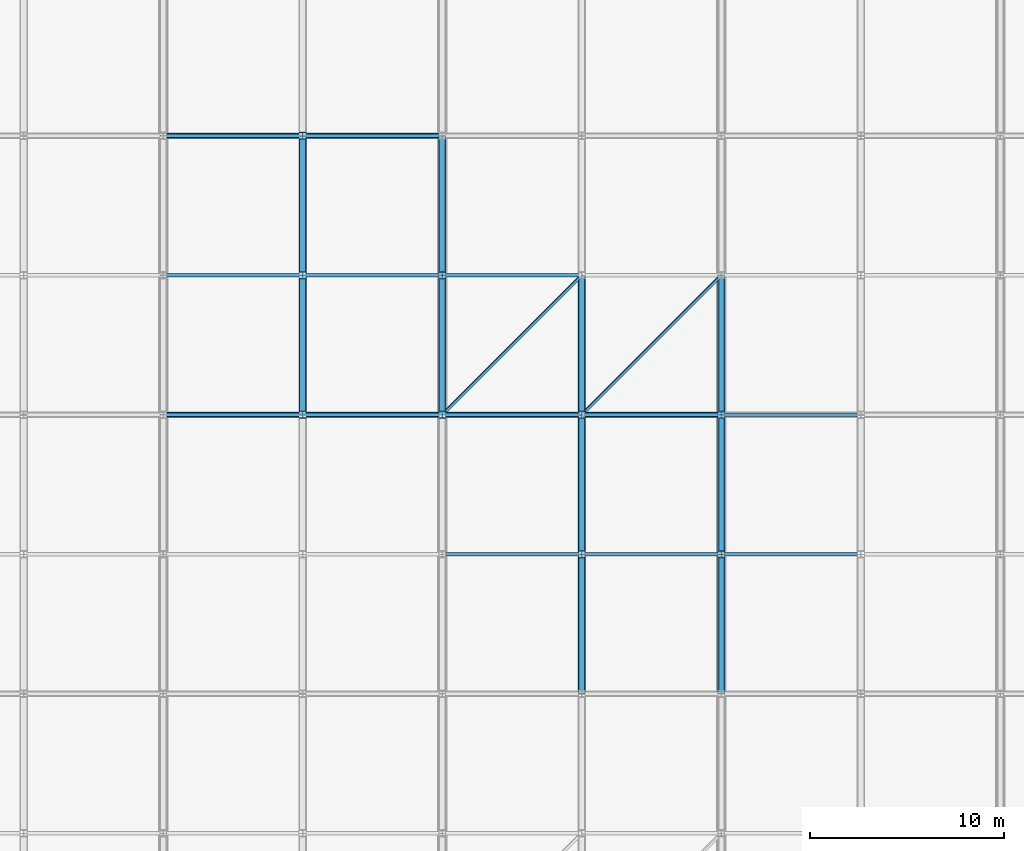
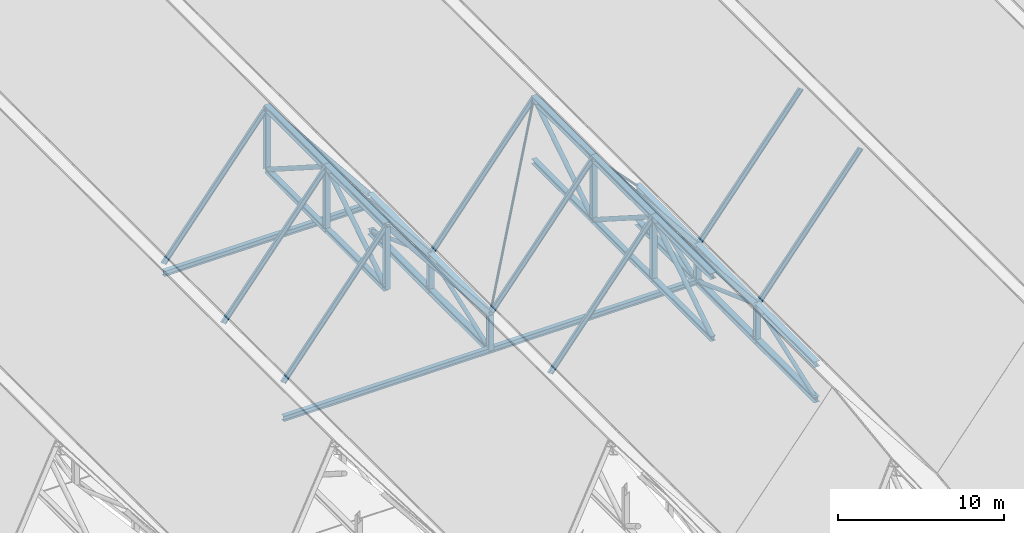
# One storey, part 9 of 60: 54 members, 3 beams.
"""IFC4 building model written with IfcOpenShell, lengths in metres."""

from ifc_helpers import new_model, si_unit, direction, frame, origin, origin_2d, place, context, subcontext, project, spatial, hollow_circle, i_section, extrude, material, material_profile, profile_set, type_object, element, save


model = new_model("IFC4")

# Units and contexts
model_context = context("Model", 3, precision=1e-05, world=origin(), true_north=direction((0.0, 1.0)))
body_context = subcontext(model_context, "Body", "Model", "MODEL_VIEW")
ifc_project = project(units=[si_unit("LENGTHUNIT", "METRE"), si_unit("AREAUNIT", "SQUARE_METRE"), si_unit("VOLUMEUNIT", "CUBIC_METRE"), si_unit("PLANEANGLEUNIT", "RADIAN"), si_unit("MASSUNIT", "GRAM", prefix="KILO")], contexts=[model_context])

# Site, building, storey
site_placement = place(None, origin())
site = spatial("IfcSite", under=ifc_project, at=site_placement, CompositionType="ELEMENT")
building_placement = place(site_placement, origin())
building = spatial("IfcBuilding", under=site, at=building_placement, Name="Vesperath Aquatics Centre", CompositionType="ELEMENT")
storey_placement = place(building_placement, frame((0.0, 0.0, 27.60009765625)))
storey = spatial("IfcBuildingStorey", under=building, at=storey_placement, Name="RF", CompositionType="ELEMENT", Elevation=27.60009765625)

# Beams
ifc_material_1 = material(Name="Steel Q355C", Category="steel")
ifc_material_profile_1 = material_profile(ifc_material_1, i_section(OverallWidth=0.300048828125, OverallDepth=0.389892578125, WebThickness=0.010009765625, FlangeThickness=0.01611328125, FilletRadius=0.02197265625, at=origin_2d()), Name="HM 390x300x10x16")
ifc_profile_set_1 = profile_set([ifc_material_profile_1], Name="Steel Q355C")
beam_type_1 = type_object("IfcBeamType", Name="BM-RB02", PredefinedType="BEAM", material=ifc_profile_set_1)
beam_1_placement = place(storey_placement, frame((28.800048828125, 43.199951171875, -12.400146484375), z_axis=(1.0, 0.0, 0.0), x_axis=(0.0, 1.0, 0.0)))
element("IfcBeam", 1, at=beam_1_placement, inside=storey, type_object=beam_type_1, Name="Natatorium Roof Deck Support Beam B11 G3-43.2", PredefinedType="BEAM", context=body_context, shape_type="SweptSolid", body=[
    extrude(i_section(OverallWidth=0.300048828125, OverallDepth=0.389892578125, WebThickness=0.010009765625, FlangeThickness=0.01611328125, FilletRadius=0.02197265625, at=origin_2d()), origin(), (0.0, 0.0, 1.0), 14.39990234375),
])
beam_2_placement = place(storey_placement, frame((43.199951171875, 43.199951171875, -12.400146484375), z_axis=(1.0, 0.0, 0.0), x_axis=(0.0, 1.0, 0.0)))
element("IfcBeam", 2, at=beam_2_placement, inside=storey, type_object=beam_type_1, Name="Natatorium Roof Deck Support Beam B11 G4-43.2", PredefinedType="BEAM", context=body_context, shape_type="SweptSolid", body=[
    extrude(i_section(OverallWidth=0.300048828125, OverallDepth=0.389892578125, WebThickness=0.010009765625, FlangeThickness=0.01611328125, FilletRadius=0.02197265625, at=origin_2d()), origin(), (0.0, 0.0, 1.0), 14.400146484375),
])
ifc_material_profile_2 = material_profile(ifc_material_1, i_section(OverallWidth=0.300048828125, OverallDepth=0.389892578125, WebThickness=0.010009765625, FlangeThickness=0.01611328125, FilletRadius=0.02197265625, at=origin_2d()), Name="HM 390x300x10x16")
ifc_profile_set_2 = profile_set([ifc_material_profile_2], Name="Steel Q355C")
beam_type_2 = type_object("IfcBeamType", Name="BM-RB03", PredefinedType="BEAM", material=ifc_profile_set_2)
beam_3_placement = place(storey_placement, frame((28.800048828125, 57.60009765625, -10.478759765625), z_axis=(1.0, 0.0, 0.0), x_axis=(0.0, 1.0, 0.0)))
element("IfcBeam", 3, at=beam_3_placement, inside=storey, type_object=beam_type_2, Name="Natatorium Roof Deck Support Beam B11 G3-57.6", PredefinedType="BEAM", context=body_context, shape_type="SweptSolid", body=[
    extrude(i_section(OverallWidth=0.300048828125, OverallDepth=0.389892578125, WebThickness=0.010009765625, FlangeThickness=0.01611328125, FilletRadius=0.02197265625, at=origin_2d()), origin(), (0.0, 0.0, 1.0), 14.39990234375),
])

# Members
ifc_material_2 = material(Name="Steel Q355D", Category="steel")
ifc_material_profile_3 = material_profile(ifc_material_2, i_section(OverallWidth=0.39990234375, OverallDepth=0.39990234375, WebThickness=0.012939453125, FlangeThickness=0.02099609375, FilletRadius=0.02197265625, at=origin_2d()), Name="HW 400x400x13x21")
ifc_profile_set_3 = profile_set([ifc_material_profile_3], Name="Steel Q355D")
member_type_1 = type_object("IfcMemberType", Name="MB-BC01", PredefinedType="CHORD", material=ifc_profile_set_3)
member_1_placement = place(storey_placement, frame((43.199951171875, 43.199951171875, -12.400146484375), z_axis=(0.0, 1.0, 0.0), x_axis=(-1.0, 0.0, 0.0)))
element("IfcMember", 4, at=member_1_placement, inside=storey, type_object=member_type_1, Name="Natatorium ROOF TRUSS Bottom Chord BC01 G7-7", PredefinedType="CHORD", context=body_context, shape_type="SweptSolid", body=[
    extrude(i_section(OverallWidth=0.39990234375, OverallDepth=0.39990234375, WebThickness=0.012939453125, FlangeThickness=0.02099609375, FilletRadius=0.02197265625, at=origin_2d()), origin(), (0.0, 0.0, 1.0), 7.199951171875),
])
member_2_placement = place(storey_placement, frame((43.199951171875, 50.39990234375, -12.400146484375), z_axis=(0.0, 1.0, 0.0), x_axis=(-1.0, 0.0, 0.0)))
element("IfcMember", 5, at=member_2_placement, inside=storey, type_object=member_type_1, Name="Natatorium ROOF TRUSS Bottom Chord BC01 G7-8", PredefinedType="CHORD", context=body_context, shape_type="SweptSolid", body=[
    extrude(i_section(OverallWidth=0.39990234375, OverallDepth=0.39990234375, WebThickness=0.012939453125, FlangeThickness=0.02099609375, FilletRadius=0.02197265625, at=origin_2d()), origin(), (0.0, 0.0, 1.0), 7.2001953125),
])
for number, where, z_axis, x_axis, name in (
    (6, (57.60009765625, 28.800048828125, -12.400146484375), (0.0, 1.0, 0.0), (-1.0, 0.0, 0.0), "Natatorium ROOF TRUSS Bottom Chord BC01 G9-5"),
    (7, (57.60009765625, 36.0, -12.400146484375), (0.0, 1.0, 0.0), (-1.0, 0.0, 0.0), "Natatorium ROOF TRUSS Bottom Chord BC01 G9-6"),
    (8, (57.60009765625, 43.199951171875, -12.400146484375), (0.0, 1.0, 0.0), (-1.0, 0.0, 0.0), "Natatorium ROOF TRUSS Bottom Chord BC01 G9-7"),
):
    element("IfcMember", number, at=place(storey_placement, frame(where, z_axis=z_axis, x_axis=x_axis)), inside=storey, type_object=member_type_1, Name=name, PredefinedType="CHORD", context=body_context, shape_type="SweptSolid", body=[
        extrude(i_section(OverallWidth=0.39990234375, OverallDepth=0.39990234375, WebThickness=0.012939453125, FlangeThickness=0.02099609375, FilletRadius=0.02197265625, at=origin_2d()), origin(), (0.0, 0.0, 1.0), 7.199951171875),
    ])
ifc_material_profile_4 = material_profile(ifc_material_2, i_section(OverallWidth=0.35009765625, OverallDepth=0.35009765625, WebThickness=0.011962890625, FlangeThickness=0.01904296875, FilletRadius=0.02001953125, at=origin_2d()), Name="HW 350x350x12x19")
ifc_profile_set_4 = profile_set([ifc_material_profile_4], Name="Steel Q355D")
member_type_2 = type_object("IfcMemberType", Name="MB-BC02", PredefinedType="CHORD", material=ifc_profile_set_4)
member_3_placement = place(storey_placement, frame((36.0, 43.199951171875, -5.400146484375), z_axis=(0.0, 1.0, 0.0), x_axis=(-1.0, 0.0, 0.0)))
element("IfcMember", 9, at=member_3_placement, inside=storey, type_object=member_type_2, Name="Natatorium ROOF TRUSS Bottom Chord BC02 G6-7", PredefinedType="CHORD", context=body_context, shape_type="SweptSolid", body=[
    extrude(i_section(OverallWidth=0.35009765625, OverallDepth=0.35009765625, WebThickness=0.011962890625, FlangeThickness=0.01904296875, FilletRadius=0.02001953125, at=origin_2d()), origin(), (0.0, 0.0, 1.0), 7.199951171875),
])
member_4_placement = place(storey_placement, frame((36.0, 50.39990234375, -5.400146484375), z_axis=(0.0, 1.0, 0.0), x_axis=(-1.0, 0.0, 0.0)))
element("IfcMember", 10, at=member_4_placement, inside=storey, type_object=member_type_2, Name="Natatorium ROOF TRUSS Bottom Chord BC02 G6-8", PredefinedType="CHORD", context=body_context, shape_type="SweptSolid", body=[
    extrude(i_section(OverallWidth=0.35009765625, OverallDepth=0.35009765625, WebThickness=0.011962890625, FlangeThickness=0.01904296875, FilletRadius=0.02001953125, at=origin_2d()), origin(), (0.0, 0.0, 1.0), 7.2001953125),
])
for number, where, z_axis, x_axis, name in (
    (11, (50.39990234375, 28.800048828125, -5.400146484375), (0.0, 1.0, 0.0), (-1.0, 0.0, 0.0), "Natatorium ROOF TRUSS Bottom Chord BC02 G8-5"),
    (12, (50.39990234375, 36.0, -5.400146484375), (0.0, 1.0, 0.0), (-1.0, 0.0, 0.0), "Natatorium ROOF TRUSS Bottom Chord BC02 G8-6"),
    (13, (50.39990234375, 43.199951171875, -5.400146484375), (0.0, 1.0, 0.0), (-1.0, 0.0, 0.0), "Natatorium ROOF TRUSS Bottom Chord BC02 G8-7"),
):
    element("IfcMember", number, at=place(storey_placement, frame(where, z_axis=z_axis, x_axis=x_axis)), inside=storey, type_object=member_type_2, Name=name, PredefinedType="CHORD", context=body_context, shape_type="SweptSolid", body=[
        extrude(i_section(OverallWidth=0.35009765625, OverallDepth=0.35009765625, WebThickness=0.011962890625, FlangeThickness=0.01904296875, FilletRadius=0.02001953125, at=origin_2d()), origin(), (0.0, 0.0, 1.0), 7.199951171875),
    ])
ifc_material_profile_5 = material_profile(ifc_material_2, hollow_circle(Radius=0.084228515625, WallThickness=0.008056640625, at=origin_2d()), Name="CHS 168.3x8")
ifc_profile_set_5 = profile_set([ifc_material_profile_5], Name="Steel Q355D")
member_type_3 = type_object("IfcMemberType", Name="MB-BR01", PredefinedType="BRACE", material=ifc_profile_set_5)
for number, where, z_axis, x_axis, name in (
    (14, (43.242431640625, 43.242431640625, -9.7470703125), (0.529812942826, 0.529812942826, 0.662266178533), (-0.707106781187, 0.707106781187, 0.0), "Natatorium Roof Brace BR01 B7-43"),
    (15, (50.4423828125, 43.242431640625, -0.85302734375), (0.529812942826, 0.529812942826, -0.662266178533), (-0.707106781187, 0.707106781187, 0.0), "Natatorium Roof Brace BR01 B8-43"),
):
    element("IfcMember", number, at=place(storey_placement, frame(where, z_axis=z_axis, x_axis=x_axis)), inside=storey, type_object=member_type_3, Name=name, PredefinedType="BRACE", context=body_context, shape_type="SweptSolid", body=[
        extrude(hollow_circle(Radius=0.084228515625, WallThickness=0.008056640625, at=origin_2d()), origin(), (0.0, 0.0, 1.0), 13.4296875),
    ])
ifc_material_profile_6 = material_profile(ifc_material_1, i_section(OverallWidth=0.175048828125, OverallDepth=0.35009765625, WebThickness=0.007080078125, FlangeThickness=0.010986328125, FilletRadius=0.012939453125, at=origin_2d()), Name="HN 350x175x7x11")
ifc_profile_set_6 = profile_set([ifc_material_profile_6], Name="Steel Q355C")
member_type_4 = type_object("IfcMemberType", Name="MB-PR01", PredefinedType="PURLIN", material=ifc_profile_set_6)
for number, where, z_axis, x_axis, name in (
    (16, (28.800048828125, 43.199951171875, -9.800048828125), (0.624692464322, 0.0, 0.780870876022), (0.0, 1.0, 0.0), "Natatorium Roof Purlin PR01 B5-5"),
    (17, (28.800048828125, 50.39990234375, -9.800048828125), (0.624692464322, 0.0, 0.780870876022), (0.0, 1.0, 0.0), "Natatorium Roof Purlin PR01 B5-6"),
    (18, (28.800048828125, 57.60009765625, -9.800048828125), (0.624692464322, 0.0, 0.780870876022), (0.0, 1.0, 0.0), "Natatorium Roof Purlin PR01 B5-7"),
    (19, (36.0, 43.199951171875, -0.800048828125), (0.624692464322, 0.0, -0.780870876022), (0.0, 1.0, 0.0), "Natatorium Roof Purlin PR01 B6-5"),
    (20, (36.0, 50.39990234375, -0.800048828125), (0.624692464322, 0.0, -0.780870876022), (0.0, 1.0, 0.0), "Natatorium Roof Purlin PR01 B6-6"),
    (21, (36.0, 57.60009765625, -0.800048828125), (0.624692464322, 0.0, -0.780870876022), (0.0, 1.0, 0.0), "Natatorium Roof Purlin PR01 B6-7"),
    (22, (43.199951171875, 36.0, -9.800048828125), (0.624692464322, 0.0, 0.780870876022), (0.0, 1.0, 0.0), "Natatorium Roof Purlin PR01 B7-4"),
    (23, (43.199951171875, 43.199951171875, -9.800048828125), (0.624692464322, 0.0, 0.780870876022), (0.0, 1.0, 0.0), "Natatorium Roof Purlin PR01 B7-5"),
    (24, (43.199951171875, 50.39990234375, -9.800048828125), (0.624692464322, 0.0, 0.780870876022), (0.0, 1.0, 0.0), "Natatorium Roof Purlin PR01 B7-6"),
    (25, (50.39990234375, 36.0, -0.800048828125), (0.624705380279, 0.0, -0.780860543151), (0.0, 1.0, 0.0), "Natatorium Roof Purlin PR01 B8-4"),
    (26, (50.39990234375, 43.199951171875, -0.800048828125), (0.624705380279, 0.0, -0.780860543151), (0.0, 1.0, 0.0), "Natatorium Roof Purlin PR01 B8-5"),
    (27, (57.60009765625, 36.0, -9.800048828125), (0.624692464322, 0.0, 0.780870876022), (0.0, 1.0, 0.0), "Natatorium Roof Purlin PR01 B9-4"),
    (28, (57.60009765625, 43.199951171875, -9.800048828125), (0.624692464322, 0.0, 0.780870876022), (0.0, 1.0, 0.0), "Natatorium Roof Purlin PR01 B9-5"),
):
    element("IfcMember", number, at=place(storey_placement, frame(where, z_axis=z_axis, x_axis=x_axis)), inside=storey, type_object=member_type_4, Name=name, PredefinedType="PURLIN", context=body_context, shape_type="SweptSolid", body=[
        extrude(i_section(OverallWidth=0.175048828125, OverallDepth=0.35009765625, WebThickness=0.007080078125, FlangeThickness=0.010986328125, FilletRadius=0.012939453125, at=origin_2d()), origin(), (0.0, 0.0, 1.0), 11.525634765625),
    ])
ifc_material_profile_7 = material_profile(ifc_material_2, i_section(OverallWidth=0.406982421875, OverallDepth=0.427978515625, WebThickness=0.02001953125, FlangeThickness=0.034912109375, FilletRadius=0.02197265625, at=origin_2d()), Name="HW 428x407x20x35")
ifc_profile_set_7 = profile_set([ifc_material_profile_7], Name="Steel Q355D")
member_type_5 = type_object("IfcMemberType", Name="MB-TC01", PredefinedType="CHORD", material=ifc_profile_set_7)
member_5_placement = place(storey_placement, frame((36.0, 43.199951171875, -0.800048828125), z_axis=(0.0, 1.0, 0.0), x_axis=(-1.0, 0.0, 0.0)))
element("IfcMember", 29, at=member_5_placement, inside=storey, type_object=member_type_5, Name="Natatorium ROOF TRUSS Top Chord TC01 G6-7", PredefinedType="CHORD", context=body_context, shape_type="SweptSolid", body=[
    extrude(i_section(OverallWidth=0.406982421875, OverallDepth=0.427978515625, WebThickness=0.02001953125, FlangeThickness=0.034912109375, FilletRadius=0.02197265625, at=origin_2d()), origin(), (0.0, 0.0, 1.0), 7.199951171875),
])
member_6_placement = place(storey_placement, frame((36.0, 50.39990234375, -0.800048828125), z_axis=(0.0, 1.0, 0.0), x_axis=(-1.0, 0.0, 0.0)))
element("IfcMember", 30, at=member_6_placement, inside=storey, type_object=member_type_5, Name="Natatorium ROOF TRUSS Top Chord TC01 G6-8", PredefinedType="CHORD", context=body_context, shape_type="SweptSolid", body=[
    extrude(i_section(OverallWidth=0.406982421875, OverallDepth=0.427978515625, WebThickness=0.02001953125, FlangeThickness=0.034912109375, FilletRadius=0.02197265625, at=origin_2d()), origin(), (0.0, 0.0, 1.0), 7.2001953125),
])
for number, where, z_axis, x_axis, name in (
    (31, (50.39990234375, 28.800048828125, -0.800048828125), (0.0, 1.0, 0.0), (-1.0, 0.0, 0.0), "Natatorium ROOF TRUSS Top Chord TC01 G8-5"),
    (32, (50.39990234375, 36.0, -0.800048828125), (0.0, 1.0, 0.0), (-1.0, 0.0, 0.0), "Natatorium ROOF TRUSS Top Chord TC01 G8-6"),
    (33, (50.39990234375, 43.199951171875, -0.800048828125), (0.0, 1.0, 0.0), (-1.0, 0.0, 0.0), "Natatorium ROOF TRUSS Top Chord TC01 G8-7"),
):
    element("IfcMember", number, at=place(storey_placement, frame(where, z_axis=z_axis, x_axis=x_axis)), inside=storey, type_object=member_type_5, Name=name, PredefinedType="CHORD", context=body_context, shape_type="SweptSolid", body=[
        extrude(i_section(OverallWidth=0.406982421875, OverallDepth=0.427978515625, WebThickness=0.02001953125, FlangeThickness=0.034912109375, FilletRadius=0.02197265625, at=origin_2d()), origin(), (0.0, 0.0, 1.0), 7.199951171875),
    ])
ifc_material_profile_8 = material_profile(ifc_material_2, i_section(OverallWidth=0.39990234375, OverallDepth=0.39990234375, WebThickness=0.012939453125, FlangeThickness=0.02099609375, FilletRadius=0.02197265625, at=origin_2d()), Name="HW 400x400x13x21")
ifc_profile_set_8 = profile_set([ifc_material_profile_8], Name="Steel Q355D")
member_type_6 = type_object("IfcMemberType", Name="MB-TC02", PredefinedType="CHORD", material=ifc_profile_set_8)
member_7_placement = place(storey_placement, frame((43.199951171875, 43.199951171875, -9.800048828125), z_axis=(0.0, 1.0, 0.0), x_axis=(-1.0, 0.0, 0.0)))
element("IfcMember", 34, at=member_7_placement, inside=storey, type_object=member_type_6, Name="Natatorium ROOF TRUSS Top Chord TC02 G7-7", PredefinedType="CHORD", context=body_context, shape_type="SweptSolid", body=[
    extrude(i_section(OverallWidth=0.39990234375, OverallDepth=0.39990234375, WebThickness=0.012939453125, FlangeThickness=0.02099609375, FilletRadius=0.02197265625, at=origin_2d()), origin(), (0.0, 0.0, 1.0), 7.199951171875),
])
member_8_placement = place(storey_placement, frame((43.199951171875, 50.39990234375, -9.800048828125), z_axis=(0.0, 1.0, 0.0), x_axis=(-1.0, 0.0, 0.0)))
element("IfcMember", 35, at=member_8_placement, inside=storey, type_object=member_type_6, Name="Natatorium ROOF TRUSS Top Chord TC02 G7-8", PredefinedType="CHORD", context=body_context, shape_type="SweptSolid", body=[
    extrude(i_section(OverallWidth=0.39990234375, OverallDepth=0.39990234375, WebThickness=0.012939453125, FlangeThickness=0.02099609375, FilletRadius=0.02197265625, at=origin_2d()), origin(), (0.0, 0.0, 1.0), 7.2001953125),
])
for number, where, z_axis, x_axis, name in (
    (36, (57.60009765625, 28.800048828125, -9.800048828125), (0.0, 1.0, 0.0), (-1.0, 0.0, 0.0), "Natatorium ROOF TRUSS Top Chord TC02 G9-5"),
    (37, (57.60009765625, 36.0, -9.800048828125), (0.0, 1.0, 0.0), (-1.0, 0.0, 0.0), "Natatorium ROOF TRUSS Top Chord TC02 G9-6"),
    (38, (57.60009765625, 43.199951171875, -9.800048828125), (0.0, 1.0, 0.0), (-1.0, 0.0, 0.0), "Natatorium ROOF TRUSS Top Chord TC02 G9-7"),
):
    element("IfcMember", number, at=place(storey_placement, frame(where, z_axis=z_axis, x_axis=x_axis)), inside=storey, type_object=member_type_6, Name=name, PredefinedType="CHORD", context=body_context, shape_type="SweptSolid", body=[
        extrude(i_section(OverallWidth=0.39990234375, OverallDepth=0.39990234375, WebThickness=0.012939453125, FlangeThickness=0.02099609375, FilletRadius=0.02197265625, at=origin_2d()), origin(), (0.0, 0.0, 1.0), 7.199951171875),
    ])
ifc_material_profile_9 = material_profile(ifc_material_2, hollow_circle(Radius=0.161865234375, WallThickness=0.013916015625, at=origin_2d()), Name="CHS 323.9x14")
ifc_profile_set_9 = profile_set([ifc_material_profile_9], Name="Steel Q355D")
member_type_7 = type_object("IfcMemberType", Name="MB-TD01", PredefinedType="BRACE", material=ifc_profile_set_9)
member_9_placement = place(storey_placement, frame((36.0, 43.267333984375, -5.35693359375), z_axis=(0.0, 0.84270690245, 0.538372618698), x_axis=(-1.0, 0.0, 0.0)))
element("IfcMember", 39, at=member_9_placement, inside=storey, type_object=member_type_7, Name="Natatorium ROOF TRUSS Diagonal TD01 G6-7", PredefinedType="BRACE", context=body_context, shape_type="SweptSolid", body=[
    extrude(hollow_circle(Radius=0.161865234375, WallThickness=0.013916015625, at=origin_2d()), origin(), (0.0, 0.0, 1.0), 8.384033203125),
])
member_10_placement = place(storey_placement, frame((36.0, 50.467529296875, -0.84326171875), z_axis=(0.0, 0.842698461818, -0.538385830468), x_axis=(-1.0, 0.0, 0.0)))
element("IfcMember", 40, at=member_10_placement, inside=storey, type_object=member_type_7, Name="Natatorium ROOF TRUSS Diagonal TD01 G6-8", PredefinedType="BRACE", context=body_context, shape_type="SweptSolid", body=[
    extrude(hollow_circle(Radius=0.161865234375, WallThickness=0.013916015625, at=origin_2d()), origin(), (0.0, 0.0, 1.0), 8.3837890625),
])
for number, where, z_axis, x_axis, name in (
    (41, (50.39990234375, 28.867431640625, -5.35693359375), (0.0, 0.84270690245, 0.538372618698), (-1.0, 0.0, 0.0), "Natatorium ROOF TRUSS Diagonal TD01 G8-5"),
    (42, (50.39990234375, 36.0673828125, -0.84326171875), (0.0, 0.84270690245, -0.538372618698), (-1.0, 0.0, 0.0), "Natatorium ROOF TRUSS Diagonal TD01 G8-6"),
    (43, (50.39990234375, 43.267333984375, -5.35693359375), (0.0, 0.84270690245, 0.538372618698), (-1.0, 0.0, 0.0), "Natatorium ROOF TRUSS Diagonal TD01 G8-7"),
):
    element("IfcMember", number, at=place(storey_placement, frame(where, z_axis=z_axis, x_axis=x_axis)), inside=storey, type_object=member_type_7, Name=name, PredefinedType="BRACE", context=body_context, shape_type="SweptSolid", body=[
        extrude(hollow_circle(Radius=0.161865234375, WallThickness=0.013916015625, at=origin_2d()), origin(), (0.0, 0.0, 1.0), 8.384033203125),
    ])
ifc_material_profile_10 = material_profile(ifc_material_2, hollow_circle(Radius=0.136474609375, WallThickness=0.011962890625, at=origin_2d()), Name="CHS 273.0x12")
ifc_profile_set_10 = profile_set([ifc_material_profile_10], Name="Steel Q355D")
member_type_8 = type_object("IfcMemberType", Name="MB-TD02", PredefinedType="BRACE", material=ifc_profile_set_10)
member_11_placement = place(storey_placement, frame((43.199951171875, 43.275146484375, -12.373046875), z_axis=(0.0, 0.940544360889, 0.339670877761), x_axis=(-1.0, 0.0, 0.0)))
element("IfcMember", 44, at=member_11_placement, inside=storey, type_object=member_type_8, Name="Natatorium ROOF TRUSS Diagonal TD02 G7-7", PredefinedType="BRACE", context=body_context, shape_type="SweptSolid", body=[
    extrude(hollow_circle(Radius=0.136474609375, WallThickness=0.011962890625, at=origin_2d()), origin(), (0.0, 0.0, 1.0), 7.4951171875),
])
member_12_placement = place(storey_placement, frame((43.199951171875, 50.475341796875, -9.8271484375), z_axis=(0.0, 0.940540602568, -0.339681284324), x_axis=(-1.0, 0.0, 0.0)))
element("IfcMember", 45, at=member_12_placement, inside=storey, type_object=member_type_8, Name="Natatorium ROOF TRUSS Diagonal TD02 G7-8", PredefinedType="BRACE", context=body_context, shape_type="SweptSolid", body=[
    extrude(hollow_circle(Radius=0.136474609375, WallThickness=0.011962890625, at=origin_2d()), origin(), (0.0, 0.0, 1.0), 7.494873046875),
])
for number, where, z_axis, x_axis, name in (
    (46, (57.60009765625, 28.875244140625, -12.373046875), (0.0, 0.940544360889, 0.339670877761), (-1.0, 0.0, 0.0), "Natatorium ROOF TRUSS Diagonal TD02 G9-5"),
    (47, (57.60009765625, 36.0751953125, -9.8271484375), (0.0, 0.940544360889, -0.339670877761), (-1.0, 0.0, 0.0), "Natatorium ROOF TRUSS Diagonal TD02 G9-6"),
    (48, (57.60009765625, 43.275146484375, -12.373046875), (0.0, 0.940544360889, 0.339670877761), (-1.0, 0.0, 0.0), "Natatorium ROOF TRUSS Diagonal TD02 G9-7"),
):
    element("IfcMember", number, at=place(storey_placement, frame(where, z_axis=z_axis, x_axis=x_axis)), inside=storey, type_object=member_type_8, Name=name, PredefinedType="BRACE", context=body_context, shape_type="SweptSolid", body=[
        extrude(hollow_circle(Radius=0.136474609375, WallThickness=0.011962890625, at=origin_2d()), origin(), (0.0, 0.0, 1.0), 7.4951171875),
    ])
ifc_material_profile_11 = material_profile(ifc_material_2, i_section(OverallWidth=0.35009765625, OverallDepth=0.35009765625, WebThickness=0.011962890625, FlangeThickness=0.01904296875, FilletRadius=0.02001953125, at=origin_2d()), Name="HW 350x350x12x19")
ifc_profile_set_11 = profile_set([ifc_material_profile_11], Name="Steel Q355D")
member_type_9 = type_object("IfcMemberType", Name="MB-TP01", PredefinedType="POST", material=ifc_profile_set_11)
for number, where, z_axis, x_axis, name in (
    (49, (36.0, 43.199951171875, -5.400146484375), (0.0, 0.0, 1.0), (1.0, 0.0, 0.0), "Natatorium ROOF TRUSS Post TP01 G6-7"),
    (50, (36.0, 50.39990234375, -5.400146484375), (0.0, 0.0, 1.0), (1.0, 0.0, 0.0), "Natatorium ROOF TRUSS Post TP01 G6-8"),
    (51, (36.0, 57.60009765625, -5.400146484375), (0.0, 0.0, 1.0), (1.0, 0.0, 0.0), "Natatorium ROOF TRUSS Post TP01 G6-9"),
):
    element("IfcMember", number, at=place(storey_placement, frame(where, z_axis=z_axis, x_axis=x_axis)), inside=storey, type_object=member_type_9, Name=name, PredefinedType="POST", context=body_context, shape_type="SweptSolid", body=[
        extrude(i_section(OverallWidth=0.35009765625, OverallDepth=0.35009765625, WebThickness=0.011962890625, FlangeThickness=0.01904296875, FilletRadius=0.02001953125, at=origin_2d()), origin(), (0.0, 0.0, 1.0), 4.60009765625),
    ])
for number, where, z_axis, x_axis, name in (
    (52, (43.199951171875, 43.199951171875, -12.400146484375), (0.0, 0.0, 1.0), (1.0, 0.0, 0.0), "Natatorium ROOF TRUSS Post TP01 G7-7"),
    (53, (43.199951171875, 50.39990234375, -12.400146484375), (0.0, 0.0, 1.0), (1.0, 0.0, 0.0), "Natatorium ROOF TRUSS Post TP01 G7-8"),
):
    element("IfcMember", number, at=place(storey_placement, frame(where, z_axis=z_axis, x_axis=x_axis)), inside=storey, type_object=member_type_9, Name=name, PredefinedType="POST", context=body_context, shape_type="SweptSolid", body=[
        extrude(i_section(OverallWidth=0.35009765625, OverallDepth=0.35009765625, WebThickness=0.011962890625, FlangeThickness=0.01904296875, FilletRadius=0.02001953125, at=origin_2d()), origin(), (0.0, 0.0, 1.0), 2.60009765625),
    ])
for number, where, z_axis, x_axis, name in (
    (54, (50.39990234375, 36.0, -5.400146484375), (0.0, 0.0, 1.0), (1.0, 0.0, 0.0), "Natatorium ROOF TRUSS Post TP01 G8-6"),
    (55, (50.39990234375, 43.199951171875, -5.400146484375), (0.0, 0.0, 1.0), (1.0, 0.0, 0.0), "Natatorium ROOF TRUSS Post TP01 G8-7"),
):
    element("IfcMember", number, at=place(storey_placement, frame(where, z_axis=z_axis, x_axis=x_axis)), inside=storey, type_object=member_type_9, Name=name, PredefinedType="POST", context=body_context, shape_type="SweptSolid", body=[
        extrude(i_section(OverallWidth=0.35009765625, OverallDepth=0.35009765625, WebThickness=0.011962890625, FlangeThickness=0.01904296875, FilletRadius=0.02001953125, at=origin_2d()), origin(), (0.0, 0.0, 1.0), 4.60009765625),
    ])
for number, where, z_axis, x_axis, name in (
    (56, (57.60009765625, 36.0, -12.400146484375), (0.0, 0.0, 1.0), (1.0, 0.0, 0.0), "Natatorium ROOF TRUSS Post TP01 G9-6"),
    (57, (57.60009765625, 43.199951171875, -12.400146484375), (0.0, 0.0, 1.0), (1.0, 0.0, 0.0), "Natatorium ROOF TRUSS Post TP01 G9-7"),
):
    element("IfcMember", number, at=place(storey_placement, frame(where, z_axis=z_axis, x_axis=x_axis)), inside=storey, type_object=member_type_9, Name=name, PredefinedType="POST", context=body_context, shape_type="SweptSolid", body=[
        extrude(i_section(OverallWidth=0.35009765625, OverallDepth=0.35009765625, WebThickness=0.011962890625, FlangeThickness=0.01904296875, FilletRadius=0.02001953125, at=origin_2d()), origin(), (0.0, 0.0, 1.0), 2.60009765625),
    ])

save(model, "model.ifc")
